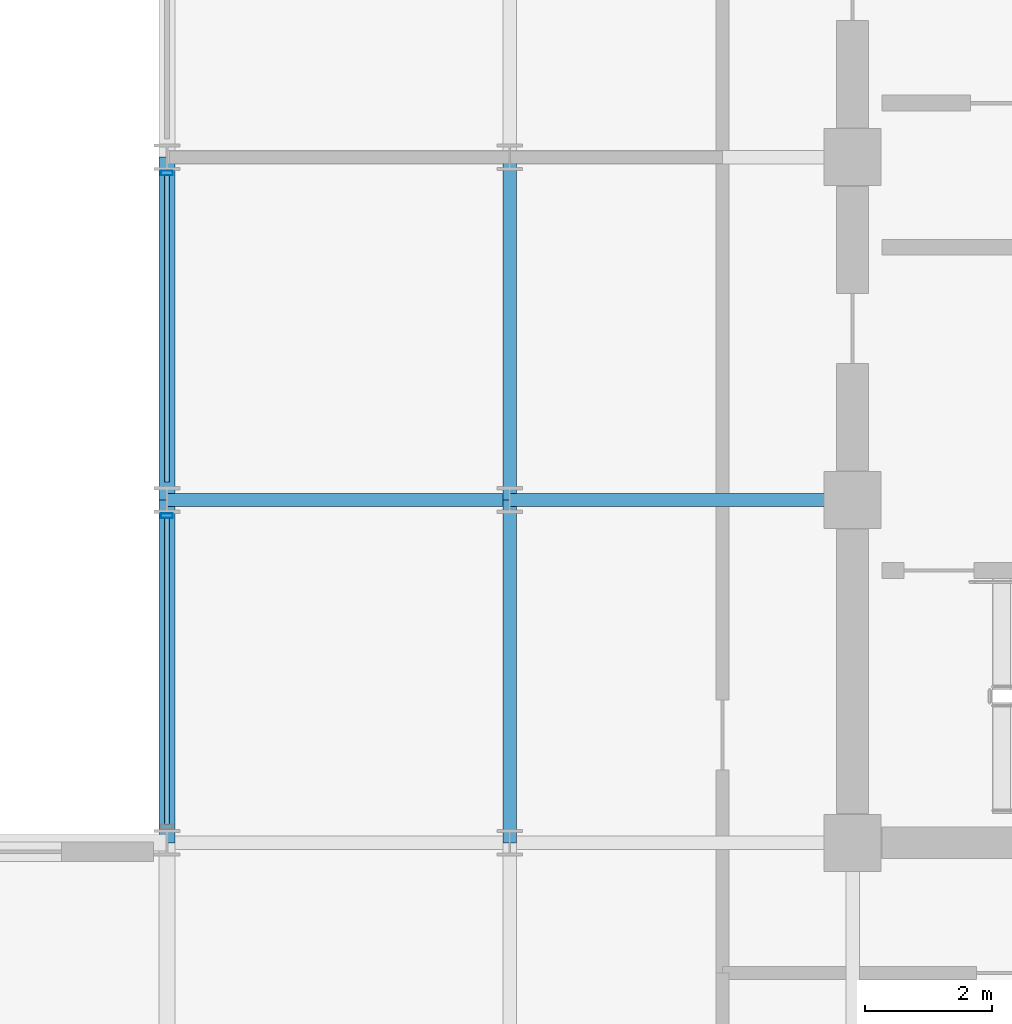
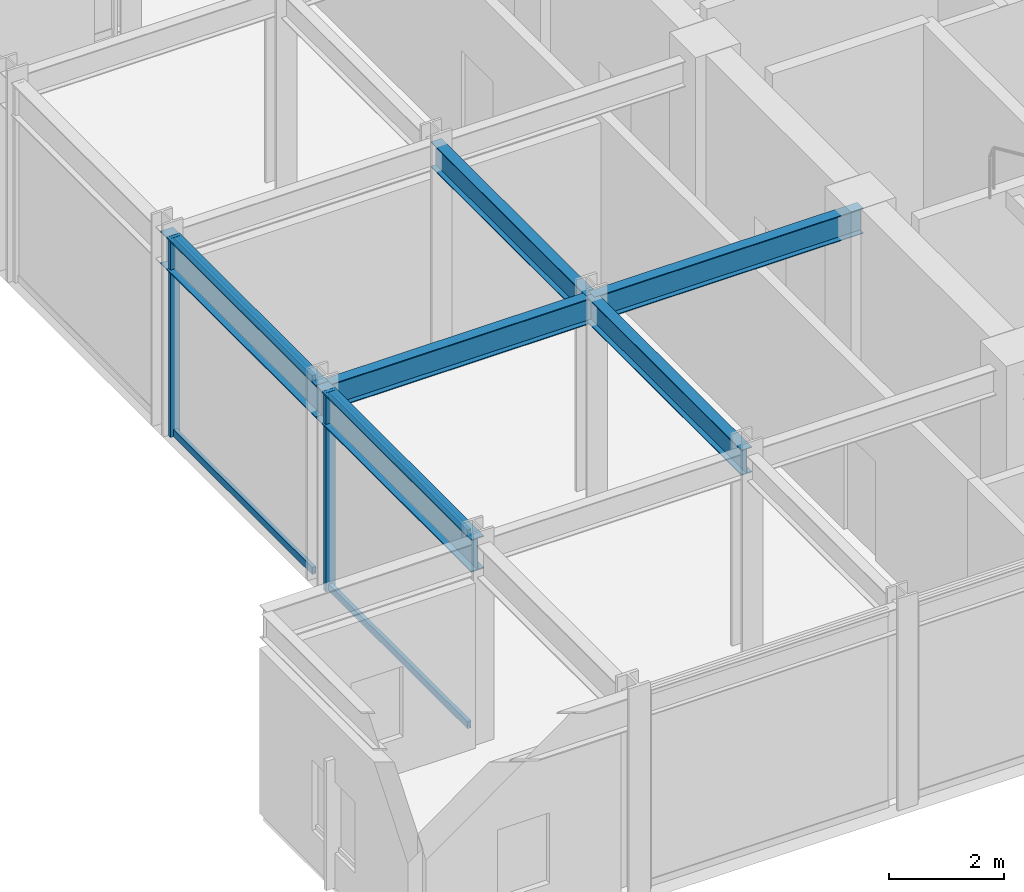
# One storey, part 3 of 22: 6 beams, 6 members, 1 element without a shape of its own.
"""IFC4 building model written with IfcOpenShell, lengths in metres."""

from ifc_helpers import new_model, si_unit, direction, frame, origin, origin_2d, place, context, subcontext, project, spatial, hollow_rectangle, i_section, extrude, material, layer, layer_set, material_profile, profile_set, type_object, element, aggregate, save


model = new_model("IFC4")

# Units and contexts
model_context = context("Model", 3, precision=1e-05, world=origin(), true_north=direction((0.0, 1.0)))
body_context = subcontext(model_context, "Body", "Model", "MODEL_VIEW")
ifc_project = project(units=[si_unit("LENGTHUNIT", "METRE"), si_unit("AREAUNIT", "SQUARE_METRE"), si_unit("VOLUMEUNIT", "CUBIC_METRE"), si_unit("PLANEANGLEUNIT", "RADIAN"), si_unit("MASSUNIT", "GRAM", prefix="KILO")], contexts=[model_context])

# Site, building, storey
site_placement = place(None, origin())
site = spatial("IfcSite", under=ifc_project, at=site_placement, CompositionType="ELEMENT")
building_placement = place(site_placement, origin())
building = spatial("IfcBuilding", under=site, at=building_placement, Name="Surkhivell Harbour Commons", CompositionType="ELEMENT")
storey_placement = place(building_placement, frame((0.0, 0.0, 342.0)))
storey = spatial("IfcBuildingStorey", under=building, at=storey_placement, Name="L89", CompositionType="ELEMENT", Elevation=342.0)

# Beams
ifc_material_1 = material(Name="Steel S355", Category="steel")
ifc_material_profile_1 = material_profile(ifc_material_1, i_section(OverallWidth=0.2099609375, OverallDepth=0.537109375, WebThickness=0.0107421875, FlangeThickness=0.017333984375, at=origin_2d()), Name="UB533x210x101")
ifc_profile_set_1 = profile_set([ifc_material_profile_1], Name="Steel S355")
beam_type_1 = type_object("IfcBeamType", Name="BM-GRD-533B", PredefinedType="BEAM", material=ifc_profile_set_1)
for number, where, z_axis, x_axis, name in (
    (1, (-21.60009765625, -5.39990234375, 3.951416015625), (1.0, 0.0, 0.0), (0.0, 1.0, 0.0), "L89 Floor Girder (-21.6,-5.4)"),
    (2, (-16.199951171875, -10.800048828125, 3.951416015625), (0.0, 1.0, 0.0), (-1.0, 0.0, 0.0), "L89 Floor Girder (-16.2,-10.8)"),
):
    element("IfcBeam", number, at=place(storey_placement, frame(where, z_axis=z_axis, x_axis=x_axis)), inside=storey, type_object=beam_type_1, Name=name, PredefinedType="BEAM", context=body_context, shape_type="SweptSolid", body=[
        extrude(i_section(OverallWidth=0.2099609375, OverallDepth=0.537109375, WebThickness=0.0107421875, FlangeThickness=0.017333984375, at=origin_2d()), origin(), (0.0, 0.0, 1.0), 5.400146484375),
    ])
for number, where, z_axis, x_axis, name in (
    (3, (-16.199951171875, -5.39990234375, 3.951416015625), (0.0, 1.0, 0.0), (-1.0, 0.0, 0.0), "L89 Floor Girder (-16.2,-5.4)"),
    (4, (-16.199951171875, -5.39990234375, 3.951416015625), (1.0, 0.0, 0.0), (0.0, 1.0, 0.0), "L89 Floor Girder (-16.2,-5.4)"),
):
    element("IfcBeam", number, at=place(storey_placement, frame(where, z_axis=z_axis, x_axis=x_axis)), inside=storey, type_object=beam_type_1, Name=name, PredefinedType="BEAM", context=body_context, shape_type="SweptSolid", body=[
        extrude(i_section(OverallWidth=0.2099609375, OverallDepth=0.537109375, WebThickness=0.0107421875, FlangeThickness=0.017333984375, at=origin_2d()), origin(), (0.0, 0.0, 1.0), 5.39990234375),
    ])
ifc_material_profile_2 = material_profile(ifc_material_1, i_section(OverallWidth=0.256103515625, OverallDepth=0.693115234375, WebThickness=0.014404296875, FlangeThickness=0.023681640625, at=origin_2d()), Name="UB686x254x170")
ifc_profile_set_2 = profile_set([ifc_material_profile_2], Name="Steel S355")
beam_type_2 = type_object("IfcBeamType", Name="BM-SPN-686", PredefinedType="SPANDREL", material=ifc_profile_set_2)
beam_1_placement = place(storey_placement, frame((-21.60009765625, -10.800048828125, 3.87353515625), z_axis=(0.0, 1.0, 0.0), x_axis=(-1.0, 0.0, 0.0)))
element("IfcBeam", 5, at=beam_1_placement, inside=storey, type_object=beam_type_2, Name="L89 Tube Spandrel (-21.6,-10.8)", PredefinedType="SPANDREL", context=body_context, shape_type="SweptSolid", body=[
    extrude(i_section(OverallWidth=0.256103515625, OverallDepth=0.693115234375, WebThickness=0.014404296875, FlangeThickness=0.023681640625, at=origin_2d()), origin(), (0.0, 0.0, 1.0), 5.400146484375),
])
beam_2_placement = place(storey_placement, frame((-21.60009765625, -5.39990234375, 3.87353515625), z_axis=(0.0, 1.0, 0.0), x_axis=(-1.0, 0.0, 0.0)))
element("IfcBeam", 6, at=beam_2_placement, inside=storey, type_object=beam_type_2, Name="L89 Tube Spandrel (-21.6,-5.4)", PredefinedType="SPANDREL", context=body_context, shape_type="SweptSolid", body=[
    extrude(i_section(OverallWidth=0.256103515625, OverallDepth=0.693115234375, WebThickness=0.014404296875, FlangeThickness=0.023681640625, at=origin_2d()), origin(), (0.0, 0.0, 1.0), 5.39990234375),
])

# Curtain wall, members
ifc_material_2 = material(Name="Anodised pale-metal aluminium and insulated glazing", Category="aluminium")
ifc_layer = layer(ifc_material_2, 0.22998046875)
ifc_layer_set = layer_set([ifc_layer], Name="Anodised pale-metal aluminium and insulated glazing")
curtain_wall_type = type_object("IfcCurtainWallType", Name="CW-SYS-CRN", PredefinedType="NOTDEFINED", material=ifc_layer_set)
curtain_wall_placement = place(storey_placement, origin())
curtain_wall = element("IfcCurtainWall", 7, at=curtain_wall_placement, inside=storey, type_object=curtain_wall_type, Name="L89 Curtain Wall CW-L89-C02S1", PredefinedType="NOTDEFINED")
ifc_material_3 = material(Name="Anodised pale-metal aluminium alloy 6063-T6", Category="aluminium")
ifc_material_profile_3 = material_profile(ifc_material_3, hollow_rectangle(XDim=0.074951171875, YDim=0.18994140625, WallThickness=0.00390625, at=origin_2d()), Name="ALU-MULL-75x190")
ifc_profile_set_3 = profile_set([ifc_material_profile_3], Name="Anodised pale-metal aluminium alloy 6063-T6")
member_type_1 = type_object("IfcMemberType", Name="CWM-190", PredefinedType="MULLION", material=ifc_profile_set_3)
member_1_placement = place(storey_placement, frame((-21.60009765625, -0.24951171875, 0.0), z_axis=(0.0, 0.0, 1.0), x_axis=(0.0, -1.0, 0.0)))
member_1 = element("IfcMember", 8, at=member_1_placement, type_object=member_type_1, Name="CW-CRN mullion 3", PredefinedType="MULLION", context=body_context, shape_type="SweptSolid", body=[
    extrude(hollow_rectangle(XDim=0.074951171875, YDim=0.18994140625, WallThickness=0.00390625, at=origin_2d()), origin(), (0.0, 0.0, 1.0), 4.219970703125),
])
member_2_placement = place(storey_placement, frame((-21.60009765625, -5.6494140625, 0.0), z_axis=(0.0, 0.0, 1.0), x_axis=(0.0, -1.0, 0.0)))
member_2 = element("IfcMember", 9, at=member_2_placement, type_object=member_type_1, Name="CW-CRN mullion 4", PredefinedType="MULLION", context=body_context, shape_type="SweptSolid", body=[
    extrude(hollow_rectangle(XDim=0.074951171875, YDim=0.18994140625, WallThickness=0.00390625, at=origin_2d()), origin(), (0.0, 0.0, 1.0), 4.219970703125),
])
ifc_material_profile_4 = material_profile(ifc_material_3, hollow_rectangle(XDim=0.074951171875, YDim=0.14990234375, WallThickness=0.00341796875, at=origin_2d()), Name="ALU-TRAN-75x150")
ifc_profile_set_4 = profile_set([ifc_material_profile_4], Name="Anodised pale-metal aluminium alloy 6063-T6")
member_type_2 = type_object("IfcMemberType", Name="CWT-150", PredefinedType="USERDEFINED", material=ifc_profile_set_4)
member_3_placement = place(storey_placement, frame((-21.60009765625, -0.287109375, 0.074951171875), z_axis=(0.0, -1.0, 0.0), x_axis=(1.0, 0.0, 0.0)))
member_3 = element("IfcMember", 10, at=member_3_placement, type_object=member_type_2, Name="CW-CRN transom 3.1", ObjectType="TRANSOM", PredefinedType="USERDEFINED", context=body_context, shape_type="SweptSolid", body=[
    extrude(hollow_rectangle(XDim=0.074951171875, YDim=0.14990234375, WallThickness=0.00341796875, at=origin_2d()), origin(), (0.0, 0.0, 1.0), 4.825927734375),
])
member_4_placement = place(storey_placement, frame((-21.60009765625, -0.287109375, 4.14501953125), z_axis=(0.0, -1.0, 0.0), x_axis=(1.0, 0.0, 0.0)))
member_4 = element("IfcMember", 11, at=member_4_placement, type_object=member_type_2, Name="CW-CRN transom 3.2", ObjectType="TRANSOM", PredefinedType="USERDEFINED", context=body_context, shape_type="SweptSolid", body=[
    extrude(hollow_rectangle(XDim=0.074951171875, YDim=0.14990234375, WallThickness=0.00341796875, at=origin_2d()), origin(), (0.0, 0.0, 1.0), 4.825927734375),
])
member_5_placement = place(storey_placement, frame((-21.60009765625, -5.68701171875, 0.074951171875), z_axis=(0.0, -1.0, 0.0), x_axis=(1.0, 0.0, 0.0)))
member_5 = element("IfcMember", 12, at=member_5_placement, type_object=member_type_2, Name="CW-CRN transom 4.1", ObjectType="TRANSOM", PredefinedType="USERDEFINED", context=body_context, shape_type="SweptSolid", body=[
    extrude(hollow_rectangle(XDim=0.074951171875, YDim=0.14990234375, WallThickness=0.00341796875, at=origin_2d()), origin(), (0.0, 0.0, 1.0), 4.825927734375),
])
member_6_placement = place(storey_placement, frame((-21.60009765625, -5.68701171875, 4.14501953125), z_axis=(0.0, -1.0, 0.0), x_axis=(1.0, 0.0, 0.0)))
member_6 = element("IfcMember", 13, at=member_6_placement, type_object=member_type_2, Name="CW-CRN transom 4.2", ObjectType="TRANSOM", PredefinedType="USERDEFINED", context=body_context, shape_type="SweptSolid", body=[
    extrude(hollow_rectangle(XDim=0.074951171875, YDim=0.14990234375, WallThickness=0.00341796875, at=origin_2d()), origin(), (0.0, 0.0, 1.0), 4.825927734375),
])
aggregate(curtain_wall, [member_1, member_3, member_4, member_2, member_5, member_6])

save(model, "model.ifc")
